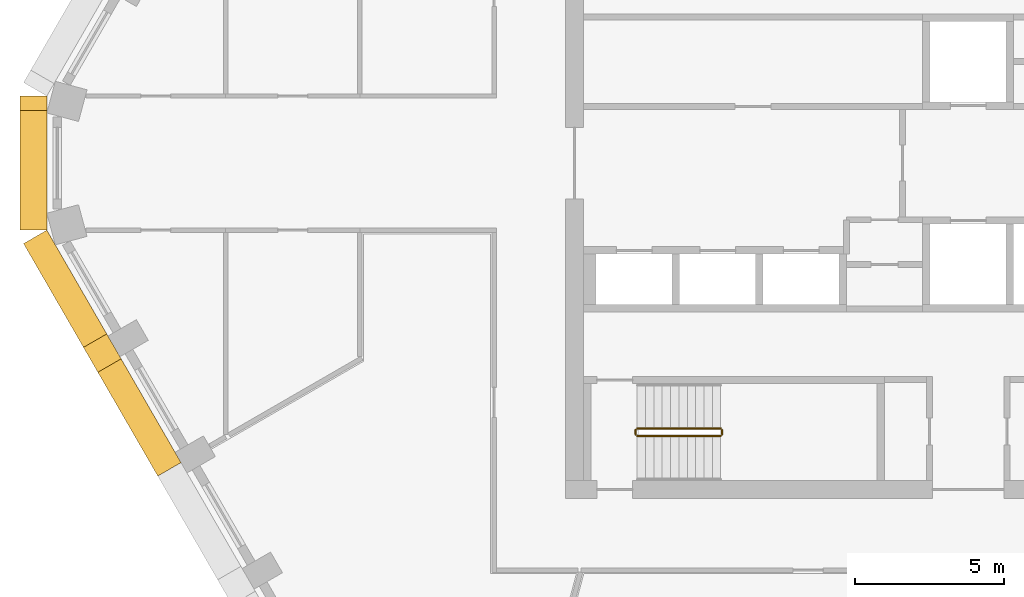
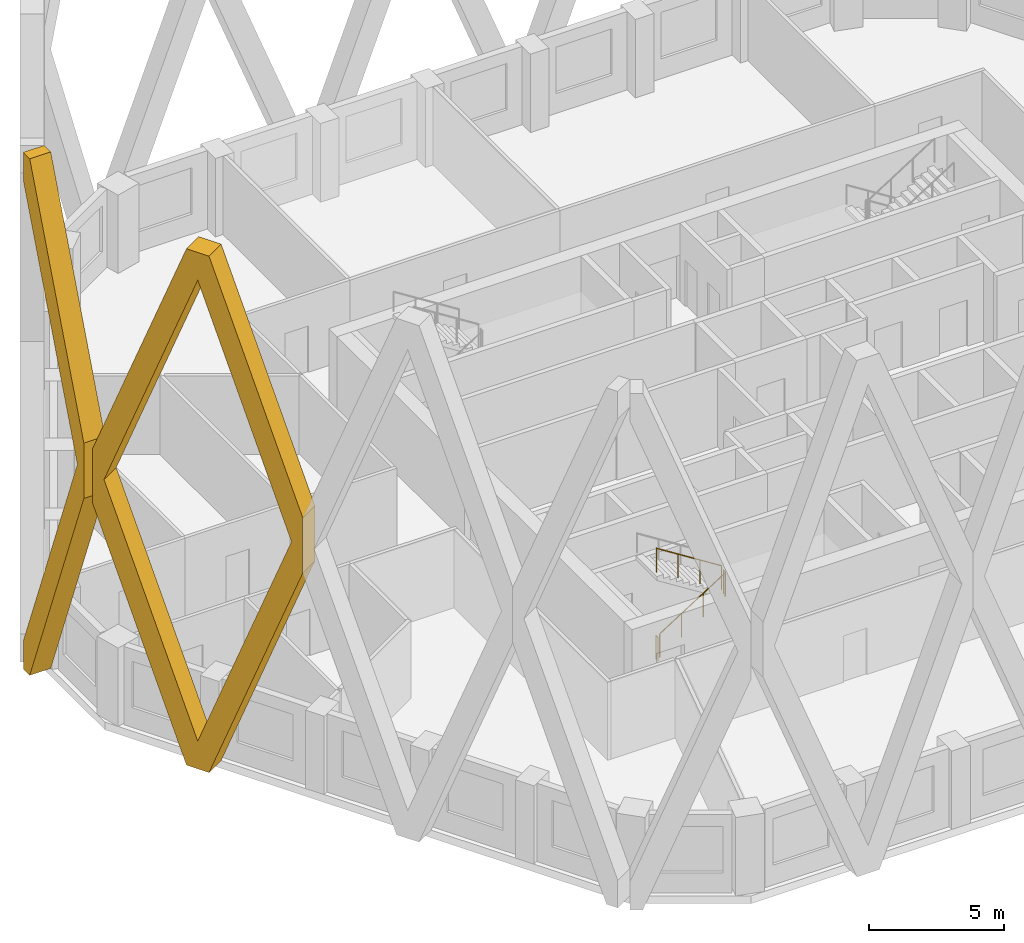
# One storey, part 9 of 15: 4 railings, 2 coverings.
"""IFC4 building model written with IfcOpenShell, lengths in metres."""

from ifc_helpers import new_model, si_unit, direction, frame, origin, origin_2d, place, context, subcontext, project, spatial, polyline, circle, outline, extrude, material, type_object, element, save


model = new_model("IFC4")

# Units and contexts
model_context = context("Model", 3, precision=1e-05, world=origin(), true_north=direction((0.0, 1.0)))
body_context = subcontext(model_context, "Body", "Model", "MODEL_VIEW")
ifc_project = project(units=[si_unit("LENGTHUNIT", "METRE"), si_unit("AREAUNIT", "SQUARE_METRE"), si_unit("VOLUMEUNIT", "CUBIC_METRE"), si_unit("PLANEANGLEUNIT", "RADIAN"), si_unit("MASSUNIT", "GRAM", prefix="KILO")], contexts=[model_context])

# Site, building, storey
site_placement = place(None, origin())
site = spatial("IfcSite", under=ifc_project, at=site_placement, CompositionType="ELEMENT")
building_placement = place(site_placement, origin())
building = spatial("IfcBuilding", under=site, at=building_placement, Name="Dhurran Vertical Campus", CompositionType="ELEMENT")
storey_placement = place(building_placement, frame((0.0, 0.0, 207.300048828125)))
storey = spatial("IfcBuildingStorey", under=building, at=storey_placement, Name="L51", CompositionType="ELEMENT", Elevation=207.300048828125)

# Coverings
ifc_material_1 = material(Name="Precast concrete C50/60", Category="concrete")
covering_type = type_object("IfcCoveringType", Name="Folded precast fin lattice diamond", PredefinedType="USERDEFINED", material=ifc_material_1)
covering_1_placement = place(storey_placement, frame((-30.897216796875, 2.25, 0.0), z_axis=(-1.0, 0.0, 0.0), x_axis=(0.0, -1.0, 0.0)))
element("IfcCovering", 1, at=covering_1_placement, inside=storey, type_object=covering_type, Name="FN1 L51.022", ObjectType="FIN", PredefinedType="USERDEFINED", context=body_context, shape_type="SweptSolid", body=[
    extrude(outline(polyline([(4.5, 10.4462890625), (0.482177734375, 0.0), (0.0, 0.0), (0.0, 1.253662109375), (4.017822265625, 11.699951171875), (0.0, 22.146484375), (0.0, 23.39990234375), (0.482177734375, 23.39990234375), (4.5, 12.95361328125), (4.5, 10.4462890625)])), origin(), (0.0, 0.0, 1.0), 0.89990234375),
])
covering_2_placement = place(storey_placement, frame((-30.897216796875, -2.25, 0.0), z_axis=(-0.866013897511, -0.50001992892, 0.0), x_axis=(0.50001992892, -0.866013897511, 0.0)))
element("IfcCovering", 2, at=covering_2_placement, inside=storey, type_object=covering_type, Name="FN1 L51.023", ObjectType="FIN", PredefinedType="USERDEFINED", context=body_context, shape_type="SweptSolid", body=[
    extrude(outline(polyline([(9.0, 12.95361328125), (9.0, 10.4462890625), (4.982177734375, 0.0), (4.017822265625, 0.0), (0.0, 10.4462890625), (0.0, 12.95361328125), (4.017822265625, 23.39990234375), (4.982177734375, 23.39990234375), (9.0, 12.95361328125)]), holes=[polyline([(8.517822265625, 11.699951171875), (4.5, 22.146484375), (0.482177734375, 11.699951171875), (4.5, 1.253662109375), (8.517822265625, 11.699951171875)])]), origin(), (0.0, 0.0, 1.0), 0.89990234375),
])

# Railings
ifc_material_2 = material(Name="Stainless steel balustrade", Category="steel")
railing_type = type_object("IfcRailingType", Name="co-RL-GUARD-1100", PredefinedType="GUARDRAIL", material=ifc_material_2)
railing_1_placement = place(storey_placement, frame((-11.10009765625, -9.14990234375, 0.17724609375)))
element("IfcRailing", 3, at=railing_1_placement, inside=storey, type_object=railing_type, Name="L51 ST3 stair guard 1", PredefinedType="GUARDRAIL", context=body_context, shape_type="SweptSolid", body=[
    extrude(circle(Radius=0.02392578125, at=origin_2d()), frame((0.0, 0.0, 1.076171875), z_axis=(0.844908973607, 0.0, 0.534910110503), x_axis=(0.0, 1.0, 0.0)), (0.0, 0.0, 1.0), 3.31396484375),
    extrude(circle(Radius=0.02099609375, at=origin_2d()), origin(), (0.0, 0.0, 1.0), 1.052001953125),
    extrude(circle(Radius=0.02099609375, at=origin_2d()), frame((0.933349609375, 0.0, 0.5908203125)), (0.0, 0.0, 1.0), 1.052001953125),
    extrude(circle(Radius=0.02099609375, at=origin_2d()), frame((1.86669921875, 0.0, 1.181884765625)), (0.0, 0.0, 1.0), 1.052001953125),
    extrude(circle(Radius=0.02099609375, at=origin_2d()), frame((2.800048828125, 0.0, 1.772705078125)), (0.0, 0.0, 1.0), 1.052001953125),
])
railing_2_placement = place(storey_placement, frame((-8.25, -9.10009765625, 1.949951171875)))
element("IfcRailing", 4, at=railing_2_placement, inside=storey, type_object=railing_type, Name="L51 ST3 stair guard 2", PredefinedType="GUARDRAIL", context=body_context, shape_type="SweptSolid", body=[
    extrude(circle(Radius=0.02392578125, at=origin_2d()), frame((0.0, 0.0, 1.076171875), z_axis=(0.0, 1.0, 0.0), x_axis=(-1.0, 0.0, 0.0)), (0.0, 0.0, 1.0), 0.150146484375),
    extrude(circle(Radius=0.02099609375, at=origin_2d()), origin(), (0.0, 0.0, 1.0), 1.052001953125),
    extrude(circle(Radius=0.02099609375, at=origin_2d()), frame((0.0, 0.150146484375, 0.0)), (0.0, 0.0, 1.0), 1.052001953125),
])
railing_3_placement = place(storey_placement, frame((-8.300048828125, -8.89990234375, 2.127197265625)))
element("IfcRailing", 5, at=railing_3_placement, inside=storey, type_object=railing_type, Name="L51 ST3 stair guard 3", PredefinedType="GUARDRAIL", context=body_context, shape_type="SweptSolid", body=[
    extrude(circle(Radius=0.02392578125, at=origin_2d()), frame((0.0, 0.0, 1.076171875), z_axis=(-0.844908973607, 0.0, 0.534910110503), x_axis=(0.0, -1.0, 0.0)), (0.0, 0.0, 1.0), 3.31396484375),
    extrude(circle(Radius=0.02099609375, at=origin_2d()), origin(), (0.0, 0.0, 1.0), 1.052001953125),
    extrude(circle(Radius=0.02099609375, at=origin_2d()), frame((-0.933349609375, 0.0, 0.5908203125)), (0.0, 0.0, 1.0), 1.052001953125),
    extrude(circle(Radius=0.02099609375, at=origin_2d()), frame((-1.86669921875, 0.0, 1.181884765625)), (0.0, 0.0, 1.0), 1.052001953125),
    extrude(circle(Radius=0.02099609375, at=origin_2d()), frame((-2.800048828125, 0.0, 1.772705078125)), (0.0, 0.0, 1.0), 1.052001953125),
])
railing_4_placement = place(storey_placement, frame((-11.14990234375, -9.10009765625, 0.0)))
element("IfcRailing", 6, at=railing_4_placement, inside=storey, type_object=railing_type, Name="L51 ST3 stair guard 4", PredefinedType="GUARDRAIL", context=body_context, shape_type="SweptSolid", body=[
    extrude(circle(Radius=0.02392578125, at=origin_2d()), frame((0.0, 0.0, 1.076171875), z_axis=(0.0, 1.0, 0.0), x_axis=(-1.0, 0.0, 0.0)), (0.0, 0.0, 1.0), 0.150146484375),
    extrude(circle(Radius=0.02099609375, at=origin_2d()), origin(), (0.0, 0.0, 1.0), 1.052001953125),
    extrude(circle(Radius=0.02099609375, at=origin_2d()), frame((0.0, 0.150146484375, 0.0)), (0.0, 0.0, 1.0), 1.052001953125),
])

save(model, "model.ifc")
